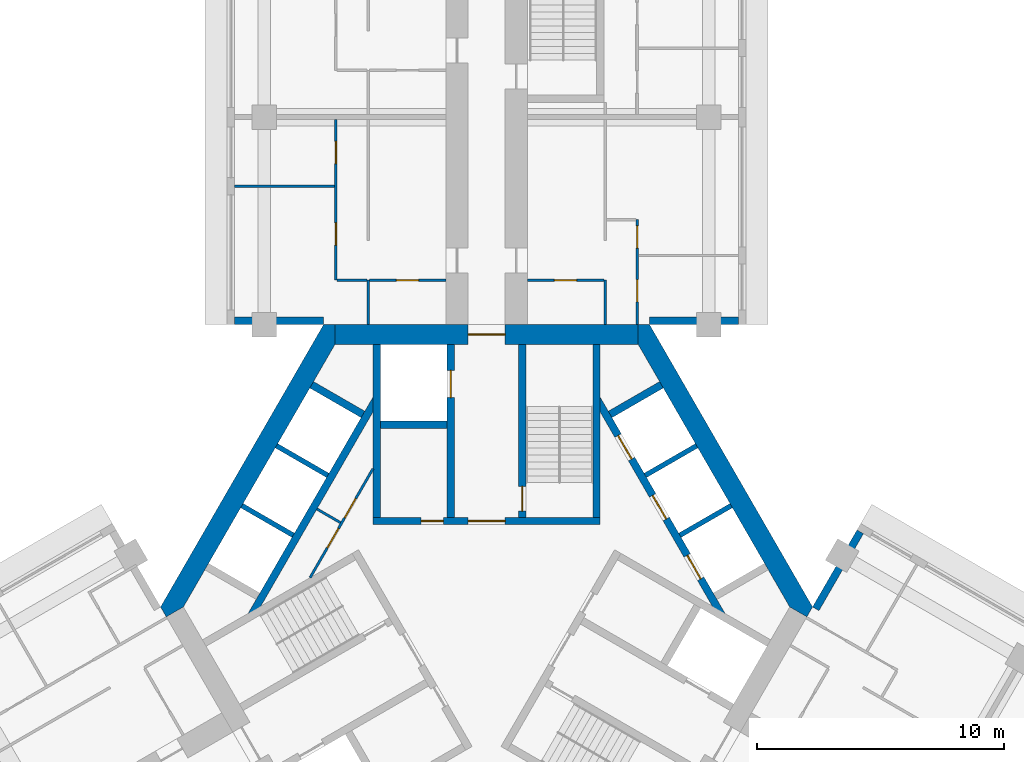
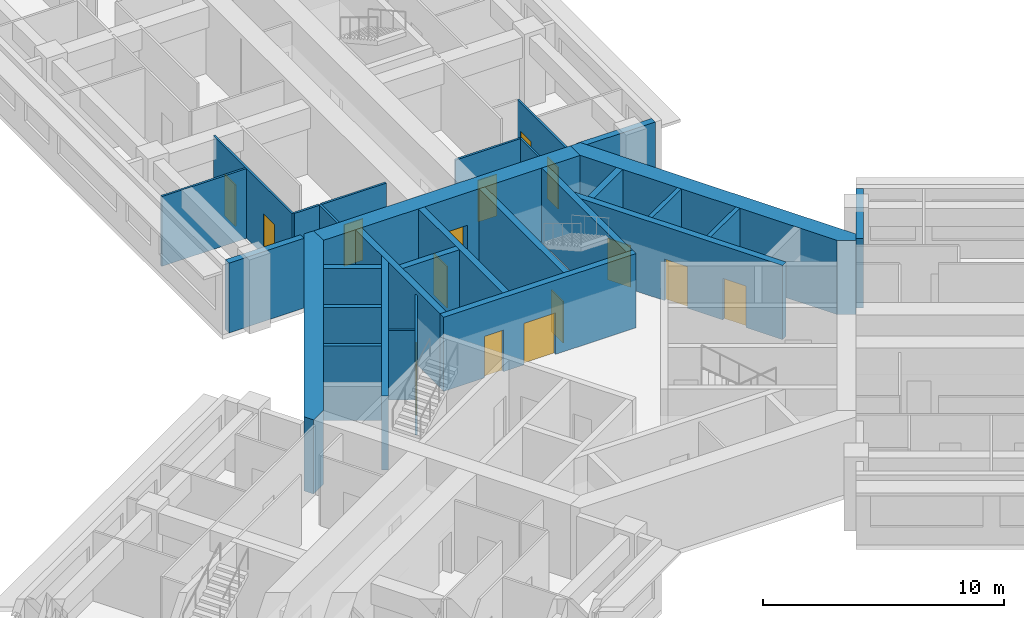
# One storey, part 8 of 14: 30 walls, 16 doors, 16 openings.
"""IFC4 building model written with IfcOpenShell, lengths in metres."""

from ifc_helpers import new_model, si_unit, direction, frame, frame_2d, origin, place, context, subcontext, project, spatial, polyline, rectangle, outline, extrude, material, layer, layer_set, type_object, element, fill, save


model = new_model("IFC4")

# Units and contexts
model_context = context("Model", 3, precision=1e-05, world=origin(), true_north=direction((0.0, 1.0)))
body_context = subcontext(model_context, "Body", "Model", "MODEL_VIEW")
ifc_project = project(units=[si_unit("LENGTHUNIT", "METRE"), si_unit("AREAUNIT", "SQUARE_METRE"), si_unit("VOLUMEUNIT", "CUBIC_METRE"), si_unit("PLANEANGLEUNIT", "RADIAN"), si_unit("MASSUNIT", "GRAM", prefix="KILO")], contexts=[model_context])

# Site, building, storey
site_placement = place(None, origin())
site = spatial("IfcSite", under=ifc_project, at=site_placement, CompositionType="ELEMENT")
building_placement = place(site_placement, origin())
building = spatial("IfcBuilding", under=site, at=building_placement, Name="Impinga Residences", CompositionType="ELEMENT")
storey_placement = place(building_placement, frame((0.0, 0.0, 117.25)))
storey = spatial("IfcBuildingStorey", under=building, at=storey_placement, Name="L28", CompositionType="ELEMENT", Elevation=117.25)

# Wall, openings, doors
ifc_material_1 = material(Name="Concrete blockwork", Category="masonry")
ifc_layer_1 = layer(ifc_material_1, 0.10009765625)
ifc_layer_set_1 = layer_set([ifc_layer_1], Name="CP1 core room partition, blockwork 100")
wall_type_1 = type_object("IfcWallType", Name="CP1 core room partition, blockwork 100", PredefinedType="PARTITIONING", material=ifc_layer_set_1)
wall_1_placement = place(storey_placement, frame((-7.14599609375, 1.185791015625, 0.0), z_axis=(0.0, 0.0, 1.0), x_axis=(0.499975622669, 0.866039477586, 0.0)))
wall_1 = element("IfcWall", 1, at=wall_1_placement, inside=storey, type_object=wall_type_1, Name="Core room partition, blockwork L28:CORE:high:FP", PredefinedType="PARTITIONING", context=body_context, shape_type="SweptSolid", body=[
    extrude(rectangle(XDim=5.092041015625, YDim=0.10009765625, at=frame_2d((2.5458984375, 0.0))), origin(), (0.0, 0.0, 1.0), 3.530029296875),
])
opening_1_placement = place(wall_1_placement, frame((1.39599609375, 0.0, 0.0)))
opening_1 = element("IfcOpeningElement", 2, at=opening_1_placement, cuts=wall_1, Name="Opening D6", PredefinedType="OPENING", context=body_context, shape_type="SweptSolid", body=[
    extrude(rectangle(XDim=0.89990234375, YDim=2.10009765625, at=frame_2d((0.449951171875, 1.050048828125))), frame((0.0, 0.06005859375, 0.0), z_axis=(0.0, -1.0, 0.0), x_axis=(1.0, 0.0, 0.0)), (0.0, 0.0, 1.0), 0.1201171875),
])
opening_2_placement = place(wall_1_placement, frame((2.7958984375, 0.0, 0.0)))
opening_2 = element("IfcOpeningElement", 3, at=opening_2_placement, cuts=wall_1, Name="Opening D6", PredefinedType="OPENING", context=body_context, shape_type="SweptSolid", body=[
    extrude(rectangle(XDim=0.89990234375, YDim=2.10009765625, at=frame_2d((0.449951171875, 1.050048828125))), frame((0.0, 0.06005859375, 0.0), z_axis=(0.0, -1.0, 0.0), x_axis=(1.0, 0.0, 0.0)), (0.0, 0.0, 1.0), 0.1201171875),
])
ifc_material_2 = material(Name="Timber door set", Category="wood")
door_type_1 = type_object("IfcDoorType", Name="D6 riser and store door 900x2100", OperationType="SINGLE_SWING_LEFT", PredefinedType="DOOR", material=ifc_material_2)
door_1_placement = place(opening_1_placement, origin())
door_1 = element("IfcDoor", 4, at=door_1_placement, inside=storey, type_object=door_type_1, Name="Housekeeping store door", OperationType="SINGLE_SWING_LEFT", OverallHeight=2.10009765625, OverallWidth=0.89990234375, PredefinedType="DOOR", context=body_context, shape_type="SweptSolid", body=[
    extrude(rectangle(XDim=0.89990234375, YDim=2.10009765625, at=frame_2d((0.449951171875, 1.050048828125))), frame((0.0, 0.02490234375, 0.0), z_axis=(0.0, -1.0, 0.0), x_axis=(1.0, 0.0, 0.0)), (0.0, 0.0, 1.0), 0.050048828125),
])
fill(opening_1, door_1)
door_2_placement = place(opening_2_placement, origin())
door_2 = element("IfcDoor", 5, at=door_2_placement, inside=storey, type_object=door_type_1, Name="Linen store door", OperationType="SINGLE_SWING_RIGHT", OverallHeight=2.10009765625, OverallWidth=0.89990234375, PredefinedType="DOOR", context=body_context, shape_type="SweptSolid", body=[
    extrude(rectangle(XDim=0.89990234375, YDim=2.10009765625, at=frame_2d((0.449951171875, 1.050048828125))), frame((0.0, 0.02490234375, 0.0), z_axis=(0.0, -1.0, 0.0), x_axis=(1.0, 0.0, 0.0)), (0.0, 0.0, 1.0), 0.050048828125),
])
fill(opening_2, door_2)

# Walls
wall_2_placement = place(storey_placement, frame((-5.916259765625, 3.415771484375, 0.0), z_axis=(0.0, 0.0, 1.0), x_axis=(-0.866008176907, 0.50002983664, 0.0)))
element("IfcWall", 6, at=wall_2_placement, inside=storey, type_object=wall_type_1, Name="Core room partition, blockwork L28:CORE:high:FS", PredefinedType="PARTITIONING", context=body_context, shape_type="SweptSolid", body=[
    extrude(rectangle(XDim=1.10009765625, YDim=0.10009765625, at=frame_2d((0.550048828125, 0.0))), origin(), (0.0, 0.0, 1.0), 3.530029296875),
])
ifc_material_3 = material(Name="Terracotta rainscreen on blockwork", Category="masonry")
ifc_layer_2 = layer(ifc_material_3, 0.300048828125)
ifc_layer_set_2 = layer_set([ifc_layer_2], Name="EW1 external wall, terracotta rainscreen on blockwork 300")
wall_type_2 = type_object("IfcWallType", Name="EW1 external wall, terracotta rainscreen on blockwork 300", PredefinedType="SOLIDWALL", material=ifc_layer_set_2)
for number, where, z_axis, x_axis, name in (
    (7, (-6.60009765625, 11.58154296875, 0.0), (0.0, 0.0, 1.0), (-1.0, 0.0, 0.0), "External wall EW1 L28"),
    (8, (10.199951171875, 11.58154296875, 0.0), (0.0, 0.0, 1.0), (-1.0, 0.0, 0.0), "External wall EW1 L28"),
):
    element("IfcWall", number, at=place(storey_placement, frame(where, z_axis=z_axis, x_axis=x_axis)), inside=storey, type_object=wall_type_2, Name=name, PredefinedType="SOLIDWALL", context=body_context, shape_type="SweptSolid", body=[
        extrude(rectangle(XDim=3.599853515625, YDim=0.300048828125, at=frame_2d((1.7998046875, 0.0))), origin(), (0.0, 0.0, 1.0), 3.530029296875),
    ])
wall_3_placement = place(storey_placement, frame((13.329833984375, -0.074951171875, 0.0), z_axis=(0.0, 0.0, 1.0), x_axis=(0.500012057535, 0.866018442252, 0.0)))
element("IfcWall", 9, at=wall_3_placement, inside=storey, type_object=wall_type_2, Name="External wall EW1 L28", PredefinedType="SOLIDWALL", context=body_context, shape_type="SweptSolid", body=[
    extrude(rectangle(XDim=3.60009765625, YDim=0.300048828125, at=frame_2d((1.800048828125, 0.0))), origin(), (0.0, 0.0, 1.0), 3.530029296875),
])
ifc_material_4 = material(Name="Gypsum board on steel studs", Category="steel")
ifc_layer_3 = layer(ifc_material_4, 0.10009765625)
ifc_layer_set_3 = layer_set([ifc_layer_3], Name="Gypsum board on steel studs")
wall_type_3 = type_object("IfcWallType", Name="IP1 partition 100", PredefinedType="PARTITIONING", material=ifc_layer_set_3)
wall_4_placement = place(storey_placement, frame((-4.800048828125, 11.431640625, 0.0), z_axis=(0.0, 0.0, 1.0), x_axis=(0.0, 1.0, 0.0)))
element("IfcWall", 10, at=wall_4_placement, inside=storey, type_object=wall_type_3, Name="Partition L28-NA1:DIV0", PredefinedType="PARTITIONING", context=body_context, shape_type="SweptSolid", body=[
    extrude(rectangle(XDim=1.7998046875, YDim=0.10009765625, at=frame_2d((0.89990234375, 0.0))), origin(), (0.0, 0.0, 1.0), 3.530029296875),
])

# Wall, openings, doors
wall_5_placement = place(storey_placement, frame((-6.10009765625, 13.2314453125, 0.0), z_axis=(0.0, 0.0, 1.0), x_axis=(0.0, 1.0, 0.0)))
wall_5 = element("IfcWall", 11, at=wall_5_placement, inside=storey, type_object=wall_type_3, Name="Partition L28-NA1:STRIP", PredefinedType="PARTITIONING", context=body_context, shape_type="SweptSolid", body=[
    extrude(rectangle(XDim=6.5, YDim=0.10009765625, at=frame_2d((3.25, 0.0))), origin(), (0.0, 0.0, 1.0), 3.530029296875),
])
opening_3_placement = place(wall_5_placement, frame((1.425048828125, 0.0, 0.0)))
opening_3 = element("IfcOpeningElement", 12, at=opening_3_placement, cuts=wall_5, Name="Opening D2", PredefinedType="OPENING", context=body_context, shape_type="SweptSolid", body=[
    extrude(rectangle(XDim=0.89990234375, YDim=2.10009765625, at=frame_2d((0.449951171875, 1.050048828125))), frame((0.0, 0.06005859375, 0.0), z_axis=(0.0, -1.0, 0.0), x_axis=(1.0, 0.0, 0.0)), (0.0, 0.0, 1.0), 0.1201171875),
])
opening_4_placement = place(wall_5_placement, frame((4.72509765625, 0.0, 0.0)))
opening_4 = element("IfcOpeningElement", 13, at=opening_4_placement, cuts=wall_5, Name="Opening D2", PredefinedType="OPENING", context=body_context, shape_type="SweptSolid", body=[
    extrude(rectangle(XDim=0.89990234375, YDim=2.10009765625, at=frame_2d((0.449951171875, 1.050048828125))), frame((0.0, 0.06005859375, 0.0), z_axis=(0.0, -1.0, 0.0), x_axis=(1.0, 0.0, 0.0)), (0.0, 0.0, 1.0), 0.1201171875),
])
door_type_2 = type_object("IfcDoorType", Name="D2 internal door 900x2100", OperationType="SINGLE_SWING_LEFT", PredefinedType="DOOR", material=ifc_material_2)
door_3_placement = place(opening_3_placement, origin())
door_3 = element("IfcDoor", 14, at=door_3_placement, inside=storey, type_object=door_type_2, Name="Apartment L28-NA1 room door", OperationType="SINGLE_SWING_LEFT", OverallHeight=2.10009765625, OverallWidth=0.89990234375, PredefinedType="DOOR", context=body_context, shape_type="SweptSolid", body=[
    extrude(rectangle(XDim=0.89990234375, YDim=2.10009765625, at=frame_2d((0.449951171875, 1.050048828125))), frame((0.0, 0.02490234375, 0.0), z_axis=(0.0, -1.0, 0.0), x_axis=(1.0, 0.0, 0.0)), (0.0, 0.0, 1.0), 0.050048828125),
])
fill(opening_3, door_3)
door_4_placement = place(opening_4_placement, origin())
door_4 = element("IfcDoor", 15, at=door_4_placement, inside=storey, type_object=door_type_2, Name="Apartment L28-NA1 room door", OperationType="SINGLE_SWING_RIGHT", OverallHeight=2.10009765625, OverallWidth=0.89990234375, PredefinedType="DOOR", context=body_context, shape_type="SweptSolid", body=[
    extrude(rectangle(XDim=0.89990234375, YDim=2.10009765625, at=frame_2d((0.449951171875, 1.050048828125))), frame((0.0, 0.02490234375, 0.0), z_axis=(0.0, -1.0, 0.0), x_axis=(1.0, 0.0, 0.0)), (0.0, 0.0, 1.0), 0.050048828125),
])
fill(opening_4, door_4)

# Wall
wall_6_placement = place(storey_placement, frame((-4.85009765625, 13.2314453125, 0.0), z_axis=(0.0, 0.0, 1.0), x_axis=(-1.0, 0.0, 0.0)))
element("IfcWall", 16, at=wall_6_placement, inside=storey, type_object=wall_type_3, Name="Partition L28-NA1:SE0", PredefinedType="PARTITIONING", context=body_context, shape_type="SweptSolid", body=[
    extrude(rectangle(XDim=1.199951171875, YDim=0.10009765625, at=frame_2d((0.60009765625, 0.0))), origin(), (0.0, 0.0, 1.0), 3.530029296875),
])

# Wall, opening, door
wall_7_placement = place(storey_placement, frame((-1.64990234375, 13.2314453125, 0.0), z_axis=(0.0, 0.0, 1.0), x_axis=(-1.0, 0.0, 0.0)))
wall_7 = element("IfcWall", 17, at=wall_7_placement, inside=storey, type_object=wall_type_3, Name="Partition L28-NA1:IB1", PredefinedType="PARTITIONING", context=body_context, shape_type="SweptSolid", body=[
    extrude(rectangle(XDim=3.10009765625, YDim=0.10009765625, at=frame_2d((1.550048828125, 0.0))), origin(), (0.0, 0.0, 1.0), 3.530029296875),
])
opening_5_placement = place(wall_7_placement, frame((1.10009765625, 0.0, 0.0)))
opening_5 = element("IfcOpeningElement", 18, at=opening_5_placement, cuts=wall_7, Name="Opening D2", PredefinedType="OPENING", context=body_context, shape_type="SweptSolid", body=[
    extrude(rectangle(XDim=0.89990234375, YDim=2.10009765625, at=frame_2d((0.449951171875, 1.050048828125))), frame((0.0, 0.06005859375, 0.0), z_axis=(0.0, -1.0, 0.0), x_axis=(1.0, 0.0, 0.0)), (0.0, 0.0, 1.0), 0.1201171875),
])
door_5_placement = place(opening_5_placement, origin())
door_5 = element("IfcDoor", 19, at=door_5_placement, inside=storey, type_object=door_type_2, Name="Apartment L28-NA1 bathroom door", OperationType="SINGLE_SWING_LEFT", OverallHeight=2.10009765625, OverallWidth=0.89990234375, PredefinedType="DOOR", context=body_context, shape_type="SweptSolid", body=[
    extrude(rectangle(XDim=0.89990234375, YDim=2.10009765625, at=frame_2d((0.449951171875, 1.050048828125))), frame((0.0, 0.02490234375, 0.0), z_axis=(0.0, -1.0, 0.0), x_axis=(1.0, 0.0, 0.0)), (0.0, 0.0, 1.0), 0.050048828125),
])
fill(opening_5, door_5)

# Walls
wall_8_placement = place(storey_placement, frame((-6.14990234375, 17.031494140625, 0.0), z_axis=(0.0, 0.0, 1.0), x_axis=(-1.0, 0.0, 0.0)))
element("IfcWall", 20, at=wall_8_placement, inside=storey, type_object=wall_type_3, Name="Partition L28-NA1:OB1", PredefinedType="PARTITIONING", context=body_context, shape_type="SweptSolid", body=[
    extrude(rectangle(XDim=4.050048828125, YDim=0.10009765625, at=frame_2d((2.02490234375, 0.0))), origin(), (0.0, 0.0, 1.0), 3.530029296875),
])
wall_9_placement = place(storey_placement, frame((4.800048828125, 11.431640625, 0.0), z_axis=(0.0, 0.0, 1.0), x_axis=(0.0, 1.0, 0.0)))
element("IfcWall", 21, at=wall_9_placement, inside=storey, type_object=wall_type_3, Name="Partition L28-NF1:DIV0", PredefinedType="PARTITIONING", context=body_context, shape_type="SweptSolid", body=[
    extrude(rectangle(XDim=1.7998046875, YDim=0.10009765625, at=frame_2d((0.89990234375, 0.0))), origin(), (0.0, 0.0, 1.0), 3.530029296875),
])

# Wall, openings, doors
wall_10_placement = place(storey_placement, frame((6.10009765625, 11.431640625, 0.0), z_axis=(0.0, 0.0, 1.0), x_axis=(0.0, 1.0, 0.0)))
wall_10 = element("IfcWall", 22, at=wall_10_placement, inside=storey, type_object=wall_type_3, Name="Partition L28-NF1:STRIP", PredefinedType="PARTITIONING", context=body_context, shape_type="SweptSolid", body=[
    extrude(rectangle(XDim=4.25, YDim=0.10009765625, at=frame_2d((2.125, 0.0))), origin(), (0.0, 0.0, 1.0), 3.530029296875),
])
opening_6_placement = place(wall_10_placement, frame((0.925048828125, 0.0, 0.0)))
opening_6 = element("IfcOpeningElement", 23, at=opening_6_placement, cuts=wall_10, Name="Opening D2", PredefinedType="OPENING", context=body_context, shape_type="SweptSolid", body=[
    extrude(rectangle(XDim=0.89990234375, YDim=2.10009765625, at=frame_2d((0.449951171875, 1.050048828125))), frame((0.0, 0.06005859375, 0.0), z_axis=(0.0, -1.0, 0.0), x_axis=(1.0, 0.0, 0.0)), (0.0, 0.0, 1.0), 0.1201171875),
])
opening_7_placement = place(wall_10_placement, frame((3.10009765625, 0.0, 0.0)))
opening_7 = element("IfcOpeningElement", 24, at=opening_7_placement, cuts=wall_10, Name="Opening D2", PredefinedType="OPENING", context=body_context, shape_type="SweptSolid", body=[
    extrude(rectangle(XDim=0.89990234375, YDim=2.10009765625, at=frame_2d((0.449951171875, 1.050048828125))), frame((0.0, 0.06005859375, 0.0), z_axis=(0.0, -1.0, 0.0), x_axis=(1.0, 0.0, 0.0)), (0.0, 0.0, 1.0), 0.1201171875),
])
door_6_placement = place(opening_6_placement, origin())
door_6 = element("IfcDoor", 25, at=door_6_placement, inside=storey, type_object=door_type_2, Name="Apartment L28-NF1 room door", OperationType="SINGLE_SWING_LEFT", OverallHeight=2.10009765625, OverallWidth=0.89990234375, PredefinedType="DOOR", context=body_context, shape_type="SweptSolid", body=[
    extrude(rectangle(XDim=0.89990234375, YDim=2.10009765625, at=frame_2d((0.449951171875, 1.050048828125))), frame((0.0, 0.02490234375, 0.0), z_axis=(0.0, -1.0, 0.0), x_axis=(1.0, 0.0, 0.0)), (0.0, 0.0, 1.0), 0.050048828125),
])
fill(opening_6, door_6)
door_7_placement = place(opening_7_placement, origin())
door_7 = element("IfcDoor", 26, at=door_7_placement, inside=storey, type_object=door_type_2, Name="Apartment L28-NF1 room door", OperationType="SINGLE_SWING_RIGHT", OverallHeight=2.10009765625, OverallWidth=0.89990234375, PredefinedType="DOOR", context=body_context, shape_type="SweptSolid", body=[
    extrude(rectangle(XDim=0.89990234375, YDim=2.10009765625, at=frame_2d((0.449951171875, 1.050048828125))), frame((0.0, 0.02490234375, 0.0), z_axis=(0.0, -1.0, 0.0), x_axis=(1.0, 0.0, 0.0)), (0.0, 0.0, 1.0), 0.050048828125),
])
fill(opening_7, door_7)

# Wall, opening, door
wall_11_placement = place(storey_placement, frame((1.64990234375, 13.2314453125, 0.0), z_axis=(0.0, 0.0, 1.0), x_axis=(1.0, 0.0, 0.0)))
wall_11 = element("IfcWall", 27, at=wall_11_placement, inside=storey, type_object=wall_type_3, Name="Partition L28-NF1:IB1", PredefinedType="PARTITIONING", context=body_context, shape_type="SweptSolid", body=[
    extrude(rectangle(XDim=3.10009765625, YDim=0.10009765625, at=frame_2d((1.550048828125, 0.0))), origin(), (0.0, 0.0, 1.0), 3.530029296875),
])
opening_8_placement = place(wall_11_placement, frame((1.10009765625, 0.0, 0.0)))
opening_8 = element("IfcOpeningElement", 28, at=opening_8_placement, cuts=wall_11, Name="Opening D2", PredefinedType="OPENING", context=body_context, shape_type="SweptSolid", body=[
    extrude(rectangle(XDim=0.89990234375, YDim=2.10009765625, at=frame_2d((0.449951171875, 1.050048828125))), frame((0.0, 0.06005859375, 0.0), z_axis=(0.0, -1.0, 0.0), x_axis=(1.0, 0.0, 0.0)), (0.0, 0.0, 1.0), 0.1201171875),
])
door_8_placement = place(opening_8_placement, origin())
door_8 = element("IfcDoor", 29, at=door_8_placement, inside=storey, type_object=door_type_2, Name="Apartment L28-NF1 bathroom door", OperationType="SINGLE_SWING_LEFT", OverallHeight=2.10009765625, OverallWidth=0.89990234375, PredefinedType="DOOR", context=body_context, shape_type="SweptSolid", body=[
    extrude(rectangle(XDim=0.89990234375, YDim=2.10009765625, at=frame_2d((0.449951171875, 1.050048828125))), frame((0.0, 0.02490234375, 0.0), z_axis=(0.0, -1.0, 0.0), x_axis=(1.0, 0.0, 0.0)), (0.0, 0.0, 1.0), 0.050048828125),
])
fill(opening_8, door_8)

ifc_material_5 = material(Name="Concrete C60/75", Category="concrete")
ifc_layer_4 = layer(ifc_material_5, 0.800048828125)
ifc_layer_set_4 = layer_set([ifc_layer_4], Name="Concrete C60/75")
wall_type_4 = type_object("IfcWallType", Name="SW2 core wall 800", PredefinedType="SHEAR", material=ifc_layer_set_4)
wall_12_placement = place(storey_placement, frame((-6.13818359375, 11.031494140625, 0.0), z_axis=(0.0, 0.0, 1.0), x_axis=(1.0, 0.0, 0.0)))
wall_12 = element("IfcWall", 30, at=wall_12_placement, inside=storey, type_object=wall_type_4, Name="Core wall SW2 N:FACE L28", PredefinedType="SHEAR", context=body_context, shape_type="SweptSolid", body=[
    extrude(rectangle(XDim=12.2763671875, YDim=0.800048828125, at=frame_2d((6.13818359375, 0.0))), origin(), (0.0, 0.0, 1.0), 3.75),
])
opening_9_placement = place(wall_12_placement, frame((5.38818359375, 0.0, 0.0)))
opening_9 = element("IfcOpeningElement", 31, at=opening_9_placement, cuts=wall_12, Name="Opening D4", PredefinedType="OPENING", context=body_context, shape_type="SweptSolid", body=[
    extrude(rectangle(XDim=1.5, YDim=2.10009765625, at=frame_2d((0.75, 1.050048828125))), frame((0.0, 0.409912109375, 0.0), z_axis=(0.0, -1.0, 0.0), x_axis=(1.0, 0.0, 0.0)), (0.0, 0.0, 1.0), 0.820068359375),
])
door_type_3 = type_object("IfcDoorType", Name="D4 lobby door pair 1500x2100", OperationType="DOUBLE_DOOR_DOUBLE_SWING", PredefinedType="DOOR", material=ifc_material_2)
door_9_placement = place(opening_9_placement, origin())
door_9 = element("IfcDoor", 32, at=door_9_placement, inside=storey, type_object=door_type_3, Name="Lobby door N", OperationType="DOUBLE_DOOR_DOUBLE_SWING", OverallHeight=2.10009765625, OverallWidth=1.5, PredefinedType="DOOR", context=body_context, shape_type="SweptSolid", body=[
    extrude(rectangle(XDim=1.5, YDim=2.10009765625, at=frame_2d((0.75, 1.050048828125))), frame((0.0, 0.02490234375, 0.0), z_axis=(0.0, -1.0, 0.0), x_axis=(1.0, 0.0, 0.0)), (0.0, 0.0, 1.0), 0.050048828125),
])
fill(opening_9, door_9)

# Walls
wall_13_placement = place(storey_placement, origin())
element("IfcWall", 33, at=wall_13_placement, inside=storey, type_object=wall_type_4, Name="Core wall SW2 W:EXPOSED L28", PredefinedType="SHEAR", context=body_context, shape_type="SweptSolid", body=[
    extrude(outline(polyline([(13.199951171875, 0.0), (6.60009765625, 11.431640625), (6.13818359375, 11.431640625), (6.13818359375, 10.631591796875), (12.276123046875, 0.0), (12.968994140625, -0.39990234375), (13.199951171875, 0.0)])), origin(), (0.0, 0.0, 1.0), 3.75),
])
wall_14_placement = place(storey_placement, origin())
element("IfcWall", 34, at=wall_14_placement, inside=storey, type_object=wall_type_4, Name="Core wall SW2 E:EXPOSED L28", PredefinedType="SHEAR", context=body_context, shape_type="SweptSolid", body=[
    extrude(outline(polyline([(-6.60009765625, 11.431640625), (-13.199951171875, 0.0), (-12.968994140625, -0.39990234375), (-12.276123046875, 0.0), (-6.13818359375, 10.631591796875), (-6.13818359375, 11.431640625), (-6.60009765625, 11.431640625)])), origin(), (0.0, 0.0, 1.0), 3.75),
])

# Wall, openings, doors
ifc_material_6 = material(Name="Concrete C70/85", Category="concrete")
ifc_layer_5 = layer(ifc_material_6, 0.300048828125)
ifc_layer_set_5 = layer_set([ifc_layer_5], Name="Concrete C70/85")
wall_type_5 = type_object("IfcWallType", Name="SW5 core inner wall, stairs, shafts and lobbies 300", PredefinedType="SHEAR", material=ifc_layer_set_5)
wall_15_placement = place(storey_placement, frame((-4.60009765625, 3.47998046875, 0.0), z_axis=(0.0, 0.0, 1.0), x_axis=(1.0, 0.0, 0.0)))
wall_15 = element("IfcWall", 35, at=wall_15_placement, inside=storey, type_object=wall_type_5, Name="Core wall SW5 N:ZONE L28", PredefinedType="SHEAR", context=body_context, shape_type="SweptSolid", body=[
    extrude(rectangle(XDim=9.2001953125, YDim=0.300048828125, at=frame_2d((4.60009765625, 0.0))), origin(), (0.0, 0.0, 1.0), 3.75),
])
opening_10_placement = place(wall_15_placement, frame((3.85009765625, 0.0, 0.0)))
opening_10 = element("IfcOpeningElement", 36, at=opening_10_placement, cuts=wall_15, Name="Opening D4", PredefinedType="OPENING", context=body_context, shape_type="SweptSolid", body=[
    extrude(rectangle(XDim=1.5, YDim=2.10009765625, at=frame_2d((0.75, 1.050048828125))), frame((0.0, 0.159912109375, 0.0), z_axis=(0.0, -1.0, 0.0), x_axis=(1.0, 0.0, 0.0)), (0.0, 0.0, 1.0), 0.320068359375),
])
opening_11_placement = place(wall_15_placement, frame((1.949951171875, 0.0, 0.0)))
opening_11 = element("IfcOpeningElement", 37, at=opening_11_placement, cuts=wall_15, Name="Opening D6", PredefinedType="OPENING", context=body_context, shape_type="SweptSolid", body=[
    extrude(rectangle(XDim=0.89990234375, YDim=2.10009765625, at=frame_2d((0.449951171875, 1.050048828125))), frame((0.0, 0.159912109375, 0.0), z_axis=(0.0, -1.0, 0.0), x_axis=(1.0, 0.0, 0.0)), (0.0, 0.0, 1.0), 0.320068359375),
])
door_10_placement = place(opening_10_placement, origin())
door_10 = element("IfcDoor", 38, at=door_10_placement, inside=storey, type_object=door_type_3, Name="Firefighting lobby door N", OperationType="DOUBLE_DOOR_DOUBLE_SWING", OverallHeight=2.10009765625, OverallWidth=1.5, PredefinedType="DOOR", context=body_context, shape_type="SweptSolid", body=[
    extrude(rectangle(XDim=1.5, YDim=2.10009765625, at=frame_2d((0.75, 1.050048828125))), frame((0.0, 0.02490234375, 0.0), z_axis=(0.0, -1.0, 0.0), x_axis=(1.0, 0.0, 0.0)), (0.0, 0.0, 1.0), 0.050048828125),
])
fill(opening_10, door_10)
door_11_placement = place(opening_11_placement, origin())
door_11 = element("IfcDoor", 39, at=door_11_placement, inside=storey, type_object=door_type_1, Name="Riser door N", OperationType="SINGLE_SWING_LEFT", OverallHeight=2.10009765625, OverallWidth=0.89990234375, PredefinedType="DOOR", context=body_context, shape_type="SweptSolid", body=[
    extrude(rectangle(XDim=0.89990234375, YDim=2.10009765625, at=frame_2d((0.449951171875, 1.050048828125))), frame((0.0, 0.02490234375, 0.0), z_axis=(0.0, -1.0, 0.0), x_axis=(1.0, 0.0, 0.0)), (0.0, 0.0, 1.0), 0.050048828125),
])
fill(opening_11, door_11)

# Wall, opening, door
wall_16_placement = place(storey_placement, frame((1.449951171875, 3.6298828125, 0.0), z_axis=(0.0, 0.0, 1.0), x_axis=(0.0, 1.0, 0.0)))
wall_16 = element("IfcWall", 40, at=wall_16_placement, inside=storey, type_object=wall_type_5, Name="Core wall SW5 N:ST-IN L28", PredefinedType="SHEAR", context=body_context, shape_type="SweptSolid", body=[
    extrude(rectangle(XDim=7.001708984375, YDim=0.300048828125, at=frame_2d((3.5009765625, 0.0))), origin(), (0.0, 0.0, 1.0), 3.75),
])
opening_12_placement = place(wall_16_placement, frame((0.25, 0.0, 0.0)))
opening_12 = element("IfcOpeningElement", 41, at=opening_12_placement, cuts=wall_16, Name="Opening D5", PredefinedType="OPENING", context=body_context, shape_type="SweptSolid", body=[
    extrude(rectangle(XDim=1.0, YDim=2.10009765625, at=frame_2d((0.5, 1.050048828125))), frame((0.0, 0.159912109375, 0.0), z_axis=(0.0, -1.0, 0.0), x_axis=(1.0, 0.0, 0.0)), (0.0, 0.0, 1.0), 0.320068359375),
])
door_type_4 = type_object("IfcDoorType", Name="D5 stair door 1000x2100", OperationType="SINGLE_SWING_LEFT", PredefinedType="DOOR", material=ifc_material_2)
door_12_placement = place(opening_12_placement, origin())
door_12 = element("IfcDoor", 42, at=door_12_placement, inside=storey, type_object=door_type_4, Name="Stair door N", OperationType="SINGLE_SWING_LEFT", OverallHeight=2.10009765625, OverallWidth=1.0, PredefinedType="DOOR", context=body_context, shape_type="SweptSolid", body=[
    extrude(rectangle(XDim=1.0, YDim=2.10009765625, at=frame_2d((0.5, 1.050048828125))), frame((0.0, 0.02490234375, 0.0), z_axis=(0.0, -1.0, 0.0), x_axis=(1.0, 0.0, 0.0)), (0.0, 0.0, 1.0), 0.050048828125),
])
fill(opening_12, door_12)

# Wall
wall_17_placement = place(storey_placement, frame((4.449951171875, 3.6298828125, 0.0), z_axis=(0.0, 0.0, 1.0), x_axis=(0.0, 1.0, 0.0)))
element("IfcWall", 43, at=wall_17_placement, inside=storey, type_object=wall_type_5, Name="Core wall SW5 N:ST-OUT L28", PredefinedType="SHEAR", context=body_context, shape_type="SweptSolid", body=[
    extrude(rectangle(XDim=7.001708984375, YDim=0.300048828125, at=frame_2d((3.5009765625, 0.0))), origin(), (0.0, 0.0, 1.0), 3.75),
])

# Wall, opening, door
wall_18_placement = place(storey_placement, frame((-1.449951171875, 3.6298828125, 0.0), z_axis=(0.0, 0.0, 1.0), x_axis=(0.0, 1.0, 0.0)))
wall_18 = element("IfcWall", 44, at=wall_18_placement, inside=storey, type_object=wall_type_5, Name="Core wall SW5 N:FF-IN L28", PredefinedType="SHEAR", context=body_context, shape_type="SweptSolid", body=[
    extrude(rectangle(XDim=7.001708984375, YDim=0.300048828125, at=frame_2d((3.5009765625, 0.0))), origin(), (0.0, 0.0, 1.0), 3.75),
])
opening_13_placement = place(wall_18_placement, frame((4.85009765625, 0.0, 0.0)))
opening_13 = element("IfcOpeningElement", 45, at=opening_13_placement, cuts=wall_18, Name="Opening LD2", PredefinedType="OPENING", context=body_context, shape_type="SweptSolid", body=[
    extrude(rectangle(XDim=1.10009765625, YDim=2.10009765625, at=frame_2d((0.550048828125, 1.050048828125))), frame((0.0, 0.159912109375, 0.0), z_axis=(0.0, -1.0, 0.0), x_axis=(1.0, 0.0, 0.0)), (0.0, 0.0, 1.0), 0.320068359375),
])
ifc_material_7 = material(Name="Steel lift landing door", Category="steel")
door_type_5 = type_object("IfcDoorType", Name="LD2 firefighting lift landing door 1100x2100", OperationType="DOUBLE_DOOR_SLIDING", PredefinedType="DOOR", material=ifc_material_7)
door_13_placement = place(opening_13_placement, origin())
door_13 = element("IfcDoor", 46, at=door_13_placement, inside=storey, type_object=door_type_5, Name="Firefighting lift landing door F1", OperationType="DOUBLE_DOOR_SLIDING", OverallHeight=2.10009765625, OverallWidth=1.10009765625, PredefinedType="DOOR", context=body_context, shape_type="SweptSolid", body=[
    extrude(rectangle(XDim=1.10009765625, YDim=2.10009765625, at=frame_2d((0.550048828125, 1.050048828125))), frame((0.0, 0.02490234375, 0.0), z_axis=(0.0, -1.0, 0.0), x_axis=(1.0, 0.0, 0.0)), (0.0, 0.0, 1.0), 0.050048828125),
])
fill(opening_13, door_13)

# Walls
wall_19_placement = place(storey_placement, frame((-4.449951171875, 3.6298828125, 0.0), z_axis=(0.0, 0.0, 1.0), x_axis=(0.0, 1.0, 0.0)))
element("IfcWall", 47, at=wall_19_placement, inside=storey, type_object=wall_type_5, Name="Core wall SW5 N:FF-OUT L28", PredefinedType="SHEAR", context=body_context, shape_type="SweptSolid", body=[
    extrude(rectangle(XDim=7.001708984375, YDim=0.300048828125, at=frame_2d((3.5009765625, 0.0))), origin(), (0.0, 0.0, 1.0), 3.75),
])
wall_20_placement = place(storey_placement, frame((-4.300048828125, 7.3798828125, 0.0), z_axis=(0.0, 0.0, 1.0), x_axis=(1.0, 0.0, 0.0)))
element("IfcWall", 48, at=wall_20_placement, inside=storey, type_object=wall_type_5, Name="Core wall SW5 N:FF-RS L28", PredefinedType="SHEAR", context=body_context, shape_type="SweptSolid", body=[
    extrude(rectangle(XDim=2.699951171875, YDim=0.300048828125, at=frame_2d((1.35009765625, 0.0))), origin(), (0.0, 0.0, 1.0), 3.75),
])

# Wall, openings, doors
wall_21_placement = place(storey_placement, frame((4.449951171875, 8.455322265625, 0.0), z_axis=(0.0, 0.0, 1.0), x_axis=(0.500002290144, -0.866024081565, 0.0)))
wall_21 = element("IfcWall", 49, at=wall_21_placement, inside=storey, type_object=wall_type_5, Name="Core wall SW5 W:BANK-FRONT L28", PredefinedType="SHEAR", context=body_context, shape_type="SweptSolid", body=[
    extrude(rectangle(XDim=10.1953125, YDim=0.300048828125, at=frame_2d((5.09765625, 0.0))), origin(), (0.0, 0.0, 1.0), 3.75),
])
opening_14_placement = place(wall_21_placement, frame((1.74755859375, 0.0, 0.0)))
opening_14 = element("IfcOpeningElement", 50, at=opening_14_placement, cuts=wall_21, Name="Opening LD1", PredefinedType="OPENING", context=body_context, shape_type="SweptSolid", body=[
    extrude(rectangle(XDim=1.10009765625, YDim=2.10009765625, at=frame_2d((0.550048828125, 1.050048828125))), frame((0.0, 0.159912109375, 0.0), z_axis=(0.0, -1.0, 0.0), x_axis=(1.0, 0.0, 0.0)), (0.0, 0.0, 1.0), 0.320068359375),
])
opening_15_placement = place(wall_21_placement, frame((4.547607421875, 0.0, 0.0)))
opening_15 = element("IfcOpeningElement", 51, at=opening_15_placement, cuts=wall_21, Name="Opening LD1", PredefinedType="OPENING", context=body_context, shape_type="SweptSolid", body=[
    extrude(rectangle(XDim=1.10009765625, YDim=2.10009765625, at=frame_2d((0.550048828125, 1.050048828125))), frame((0.0, 0.159912109375, 0.0), z_axis=(0.0, -1.0, 0.0), x_axis=(1.0, 0.0, 0.0)), (0.0, 0.0, 1.0), 0.320068359375),
])
opening_16_placement = place(wall_21_placement, frame((7.34765625, 0.0, 0.0)))
opening_16 = element("IfcOpeningElement", 52, at=opening_16_placement, cuts=wall_21, Name="Opening LD1", PredefinedType="OPENING", context=body_context, shape_type="SweptSolid", body=[
    extrude(rectangle(XDim=1.10009765625, YDim=2.10009765625, at=frame_2d((0.550048828125, 1.050048828125))), frame((0.0, 0.159912109375, 0.0), z_axis=(0.0, -1.0, 0.0), x_axis=(1.0, 0.0, 0.0)), (0.0, 0.0, 1.0), 0.320068359375),
])
door_type_6 = type_object("IfcDoorType", Name="LD1 passenger lift landing door 1100x2100", OperationType="DOUBLE_DOOR_SLIDING", PredefinedType="DOOR", material=ifc_material_7)
door_14_placement = place(opening_14_placement, origin())
door_14 = element("IfcDoor", 53, at=door_14_placement, inside=storey, type_object=door_type_6, Name="Lift landing door P4", OperationType="DOUBLE_DOOR_SLIDING", OverallHeight=2.10009765625, OverallWidth=1.10009765625, PredefinedType="DOOR", context=body_context, shape_type="SweptSolid", body=[
    extrude(rectangle(XDim=1.10009765625, YDim=2.10009765625, at=frame_2d((0.550048828125, 1.050048828125))), frame((0.0, 0.02490234375, 0.0), z_axis=(0.0, -1.0, 0.0), x_axis=(1.0, 0.0, 0.0)), (0.0, 0.0, 1.0), 0.050048828125),
])
fill(opening_14, door_14)
door_15_placement = place(opening_15_placement, origin())
door_15 = element("IfcDoor", 54, at=door_15_placement, inside=storey, type_object=door_type_6, Name="Lift landing door P5", OperationType="DOUBLE_DOOR_SLIDING", OverallHeight=2.10009765625, OverallWidth=1.10009765625, PredefinedType="DOOR", context=body_context, shape_type="SweptSolid", body=[
    extrude(rectangle(XDim=1.10009765625, YDim=2.10009765625, at=frame_2d((0.550048828125, 1.050048828125))), frame((0.0, 0.02490234375, 0.0), z_axis=(0.0, -1.0, 0.0), x_axis=(1.0, 0.0, 0.0)), (0.0, 0.0, 1.0), 0.050048828125),
])
fill(opening_15, door_15)
door_16_placement = place(opening_16_placement, origin())
door_16 = element("IfcDoor", 55, at=door_16_placement, inside=storey, type_object=door_type_6, Name="Lift landing door P6", OperationType="DOUBLE_DOOR_SLIDING", OverallHeight=2.10009765625, OverallWidth=1.10009765625, PredefinedType="DOOR", context=body_context, shape_type="SweptSolid", body=[
    extrude(rectangle(XDim=1.10009765625, YDim=2.10009765625, at=frame_2d((0.550048828125, 1.050048828125))), frame((0.0, 0.02490234375, 0.0), z_axis=(0.0, -1.0, 0.0), x_axis=(1.0, 0.0, 0.0)), (0.0, 0.0, 1.0), 0.050048828125),
])
fill(opening_16, door_16)

# Walls
wall_22_placement = place(storey_placement, frame((5.003662109375, 7.79638671875, 0.0), z_axis=(0.0, 0.0, 1.0), x_axis=(0.866050077142, 0.499957262057, 0.0)))
element("IfcWall", 56, at=wall_22_placement, inside=storey, type_object=wall_type_5, Name="Core wall SW5 W:BANK-L L28", PredefinedType="SHEAR", context=body_context, shape_type="SweptSolid", body=[
    extrude(rectangle(XDim=2.400146484375, YDim=0.300048828125, at=frame_2d((1.2001953125, 0.0))), origin(), (0.0, 0.0, 1.0), 3.75),
])
wall_23_placement = place(storey_placement, frame((-9.547607421875, -0.3740234375, 0.0), z_axis=(0.0, 0.0, 1.0), x_axis=(0.500002290144, 0.866024081565, 0.0)))
element("IfcWall", 57, at=wall_23_placement, inside=storey, type_object=wall_type_5, Name="Core wall SW5 E:BANK-FRONT L28", PredefinedType="SHEAR", context=body_context, shape_type="SweptSolid", body=[
    extrude(rectangle(XDim=10.1953125, YDim=0.300048828125, at=frame_2d((5.09765625, 0.0))), origin(), (0.0, 0.0, 1.0), 3.75),
])
wall_24_placement = place(storey_placement, frame((-5.003662109375, 7.79638671875, 0.0), z_axis=(0.0, 0.0, 1.0), x_axis=(-0.866050077142, 0.499957262057, 0.0)))
element("IfcWall", 58, at=wall_24_placement, inside=storey, type_object=wall_type_5, Name="Core wall SW5 E:BANK-R L28", PredefinedType="SHEAR", context=body_context, shape_type="SweptSolid", body=[
    extrude(rectangle(XDim=2.400146484375, YDim=0.300048828125, at=frame_2d((1.2001953125, 0.0))), origin(), (0.0, 0.0, 1.0), 3.75),
])
ifc_layer_6 = layer(ifc_material_6, 0.199951171875)
ifc_layer_set_6 = layer_set([ifc_layer_6], Name="Concrete C70/85")
wall_type_6 = type_object("IfcWallType", Name="SW6 lift shaft divider wall 200", PredefinedType="SHEAR", material=ifc_layer_set_6)
wall_25_placement = place(storey_placement, frame((6.4287109375, 5.328125, 0.0), z_axis=(0.0, 0.0, 1.0), x_axis=(0.865980596518, 0.500077600433, 0.0)))
element("IfcWall", 59, at=wall_25_placement, inside=storey, type_object=wall_type_6, Name="Core wall SW6 W:BANK-D1 L28", PredefinedType="SHEAR", context=body_context, shape_type="SweptSolid", body=[
    extrude(rectangle(XDim=2.39990234375, YDim=0.199951171875, at=frame_2d((1.199951171875, 0.0))), origin(), (0.0, 0.0, 1.0), 3.75),
])
for number, where, z_axis, x_axis, name in (
    (60, (7.82861328125, 2.9033203125, 0.0), (0.0, 0.0, 1.0), (0.866050077142, 0.499957262057, 0.0), "Core wall SW6 W:BANK-D2 L28"),
    (61, (-7.82861328125, 2.9033203125, 0.0), (0.0, 0.0, 1.0), (-0.866050077142, 0.499957262057, 0.0), "Core wall SW6 E:BANK-D1 L28"),
):
    element("IfcWall", number, at=place(storey_placement, frame(where, z_axis=z_axis, x_axis=x_axis)), inside=storey, type_object=wall_type_6, Name=name, PredefinedType="SHEAR", context=body_context, shape_type="SweptSolid", body=[
        extrude(rectangle(XDim=2.400146484375, YDim=0.199951171875, at=frame_2d((1.2001953125, 0.0))), origin(), (0.0, 0.0, 1.0), 3.75),
    ])
wall_26_placement = place(storey_placement, frame((-6.4287109375, 5.328125, 0.0), z_axis=(0.0, 0.0, 1.0), x_axis=(-0.865980596518, 0.500077600433, 0.0)))
element("IfcWall", 62, at=wall_26_placement, inside=storey, type_object=wall_type_6, Name="Core wall SW6 E:BANK-D2 L28", PredefinedType="SHEAR", context=body_context, shape_type="SweptSolid", body=[
    extrude(rectangle(XDim=2.39990234375, YDim=0.199951171875, at=frame_2d((1.199951171875, 0.0))), origin(), (0.0, 0.0, 1.0), 3.75),
])

save(model, "model.ifc")
